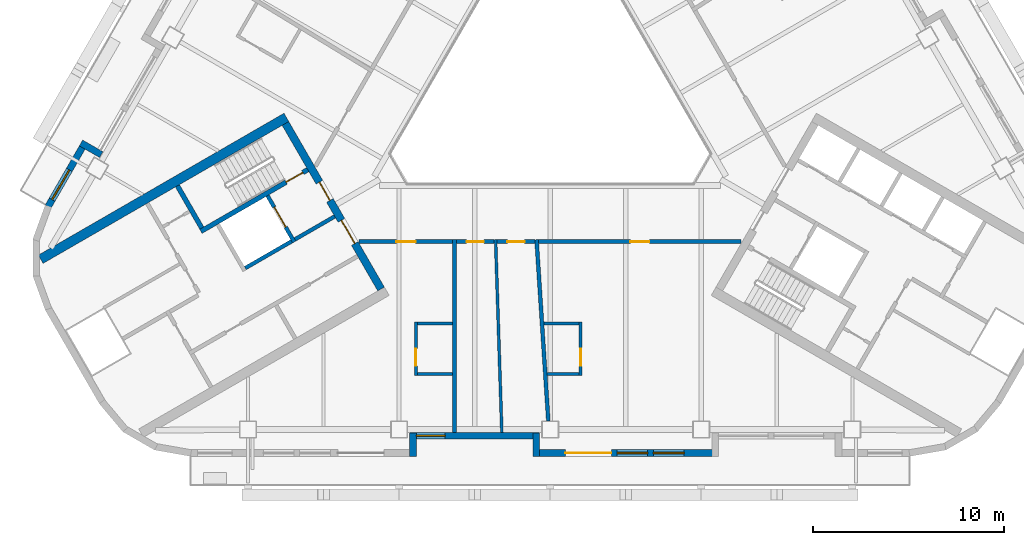
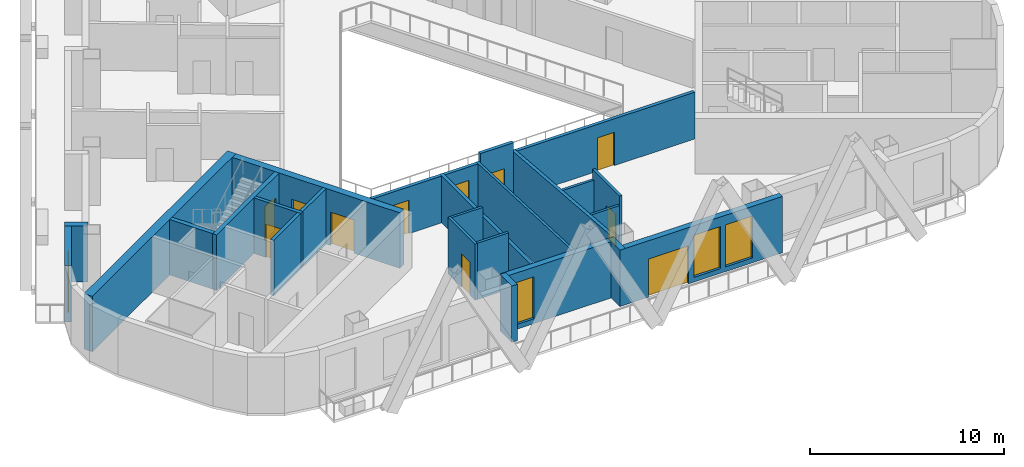
# One storey, part 3 of 13: 26 walls, 11 doors, 4 windows, 15 openings.
"""IFC4 building model written with IfcOpenShell, lengths in metres."""

from ifc_helpers import new_model, si_unit, direction, frame, frame_2d, origin, place, context, subcontext, project, spatial, rectangle, extrude, material, layer, layer_set, type_object, element, fill, save


model = new_model("IFC4")

# Units and contexts
model_context = context("Model", 3, precision=1e-05, world=origin(), true_north=direction((0.0, 1.0)))
body_context = subcontext(model_context, "Body", "Model", "MODEL_VIEW")
ifc_project = project(units=[si_unit("LENGTHUNIT", "METRE"), si_unit("AREAUNIT", "SQUARE_METRE"), si_unit("VOLUMEUNIT", "CUBIC_METRE"), si_unit("PLANEANGLEUNIT", "RADIAN"), si_unit("MASSUNIT", "GRAM", prefix="KILO")], contexts=[model_context])

# Site, building, storey
site_placement = place(None, origin())
site = spatial("IfcSite", under=ifc_project, at=site_placement, CompositionType="ELEMENT")
building_placement = place(site_placement, origin())
building = spatial("IfcBuilding", under=site, at=building_placement, Name="Apuvela Tower Hotel", CompositionType="ELEMENT")
storey_placement = place(building_placement, frame((0.0, 0.0, 105.699951171875)))
storey = spatial("IfcBuildingStorey", under=building, at=storey_placement, Name="L24", CompositionType="ELEMENT", Elevation=105.699951171875)

# Wall, openings, doors
ifc_material_1 = material(Name="Concrete C50/60", Category="concrete")
ifc_layer_1 = layer(ifc_material_1, 0.39990234375)
ifc_layer_set_1 = layer_set([ifc_layer_1], Name="COR-WALL-CORE-400")
wall_type_1 = type_object("IfcWallType", Name="COR-WALL-CORE-400", PredefinedType="SHEAR", material=ifc_layer_set_1)
wall_1_placement = place(storey_placement, frame((-13.844970703125, -2.219970703125, 0.0), z_axis=(0.0, 0.0, 1.0), x_axis=(0.500004234368, -0.866022959057, 0.0)))
wall_1 = element("IfcWall", 1, at=wall_1_placement, inside=storey, type_object=wall_type_1, Name="Core wall SW", PredefinedType="SHEAR", context=body_context, shape_type="SweptSolid", body=[
    extrude(rectangle(XDim=10.0, YDim=0.39990234375, at=frame_2d((5.0, 0.0))), origin(), (0.0, 0.0, 1.0), 3.5),
])
opening_1_placement = place(wall_1_placement, frame((3.550048828125, 0.0, 0.0)))
opening_1 = element("IfcOpeningElement", 2, at=opening_1_placement, cuts=wall_1, Name="Opening W-FD", PredefinedType="OPENING", context=body_context, shape_type="SweptSolid", body=[
    extrude(rectangle(XDim=1.10009765625, YDim=2.10009765625, at=frame_2d((0.550048828125, 1.050048828125))), frame((0.0, 0.2099609375, 0.0), z_axis=(0.0, -1.0, 0.0), x_axis=(1.0, 0.0, 0.0)), (0.0, 0.0, 1.0), 0.419921875),
])
opening_2_placement = place(wall_1_placement, frame((5.85009765625, 0.0, 0.0)))
opening_2 = element("IfcOpeningElement", 3, at=opening_2_placement, cuts=wall_1, Name="Opening W-GD", PredefinedType="OPENING", context=body_context, shape_type="SweptSolid", body=[
    extrude(rectangle(XDim=1.39990234375, YDim=2.10009765625, at=frame_2d((0.699951171875, 1.050048828125))), frame((0.0, 0.2099609375, 0.0), z_axis=(0.0, -1.0, 0.0), x_axis=(1.0, 0.0, 0.0)), (0.0, 0.0, 1.0), 0.419921875),
])
ifc_material_2 = material(Name="Steel fire door, powder coated", Category="steel")
door_type_1 = type_object("IfcDoorType", Name="COR-FD-1100", OperationType="NOTDEFINED", PredefinedType="DOOR", material=ifc_material_2)
door_1_placement = place(opening_1_placement, frame((1.10009765625, 0.0, 0.0), z_axis=(0.0, 0.0, 1.0), x_axis=(-1.0, 0.0, 0.0)))
door_1 = element("IfcDoor", 4, at=door_1_placement, inside=storey, type_object=door_type_1, Name="Firefighting lobby door W-FD", OperationType="SINGLE_SWING_LEFT", OverallHeight=2.10009765625, OverallWidth=1.10009765625, PredefinedType="DOOR", context=body_context, shape_type="SweptSolid", body=[
    extrude(rectangle(XDim=1.10009765625, YDim=2.10009765625, at=frame_2d((0.550048828125, 1.050048828125))), frame((0.0, 0.02490234375, 0.0), z_axis=(0.0, -1.0, 0.0), x_axis=(1.0, 0.0, 0.0)), (0.0, 0.0, 1.0), 0.050048828125),
])
fill(opening_1, door_1)
ifc_material_3 = material(Name="Glazed steel fire door", Category="steel")
door_type_2 = type_object("IfcDoorType", Name="COR-GD-1400", OperationType="DOUBLE_DOOR_SINGLE_SWING", PredefinedType="DOOR", material=ifc_material_3)
door_2_placement = place(opening_2_placement, frame((1.39990234375, 0.0, 0.0), z_axis=(0.0, 0.0, 1.0), x_axis=(-1.0, 0.0, 0.0)))
door_2 = element("IfcDoor", 5, at=door_2_placement, inside=storey, type_object=door_type_2, Name="Lift lobby door W-GD", OperationType="DOUBLE_DOOR_SINGLE_SWING", OverallHeight=2.10009765625, OverallWidth=1.39990234375, PredefinedType="DOOR", context=body_context, shape_type="SweptSolid", body=[
    extrude(rectangle(XDim=1.39990234375, YDim=2.10009765625, at=frame_2d((0.699951171875, 1.050048828125))), frame((0.0, 0.02490234375, 0.0), z_axis=(0.0, -1.0, 0.0), x_axis=(1.0, 0.0, 0.0)), (0.0, 0.0, 1.0), 0.050048828125),
])
fill(opening_2, door_2)

# Wall
ifc_layer_2 = layer(ifc_material_1, 0.5)
ifc_layer_set_2 = layer_set([ifc_layer_2], Name="COR-WALL-CORE-500")
wall_type_2 = type_object("IfcWallType", Name="COR-WALL-CORE-500", PredefinedType="SHEAR", material=ifc_layer_set_2)
wall_2_placement = place(storey_placement, frame((-13.796630859375, -1.9033203125, 0.0), z_axis=(0.0, 0.0, 1.0), x_axis=(-0.866025009528, -0.500000682871, 0.0)))
element("IfcWall", 6, at=wall_2_placement, inside=storey, type_object=wall_type_2, Name="Core wall SW", PredefinedType="SHEAR", context=body_context, shape_type="SweptSolid", body=[
    extrude(rectangle(XDim=14.8369140625, YDim=0.5, at=frame_2d((7.41845703125, 0.0))), origin(), (0.0, 0.0, 1.0), 3.5),
])

# Wall, opening, door
ifc_layer_3 = layer(ifc_material_1, 0.199951171875)
ifc_layer_set_3 = layer_set([ifc_layer_3], Name="COR-WALL-SHAFT-200")
wall_type_3 = type_object("IfcWallType", Name="COR-WALL-SHAFT-200", PredefinedType="SHEAR", material=ifc_layer_set_3)
wall_3_placement = place(storey_placement, frame((-14.783203125, -5.99462890625, 0.0), z_axis=(0.0, 0.0, 1.0), x_axis=(0.49994636267, -0.866056369097, 0.0)))
wall_3 = element("IfcWall", 7, at=wall_3_placement, inside=storey, type_object=wall_type_3, Name="Shaft wall SW", PredefinedType="SHEAR", context=body_context, shape_type="SweptSolid", body=[
    extrude(rectangle(XDim=2.800048828125, YDim=0.199951171875, at=frame_2d((1.39990234375, 0.0))), origin(), (0.0, 0.0, 1.0), 3.5),
])
opening_3_placement = place(wall_3_placement, frame((0.699951171875, 0.0, 0.0)))
opening_3 = element("IfcOpeningElement", 8, at=opening_3_placement, cuts=wall_3, Name="Opening W-LD-FS2", PredefinedType="OPENING", context=body_context, shape_type="SweptSolid", body=[
    extrude(rectangle(XDim=1.199951171875, YDim=2.10009765625, at=frame_2d((0.60009765625, 1.050048828125))), frame((0.0, 0.10986328125, 0.0), z_axis=(0.0, -1.0, 0.0), x_axis=(1.0, 0.0, 0.0)), (0.0, 0.0, 1.0), 0.219970703125),
])
ifc_material_4 = material(Name="Stainless steel lift landing door", Category="steel")
door_type_3 = type_object("IfcDoorType", Name="COR-LD-1200", OperationType="DOUBLE_DOOR_SLIDING", PredefinedType="DOOR", material=ifc_material_4)
door_3_placement = place(opening_3_placement, origin())
door_3 = element("IfcDoor", 9, at=door_3_placement, inside=storey, type_object=door_type_3, Name="Lift landing door W-LD-FS2", OperationType="DOUBLE_DOOR_SLIDING", OverallHeight=2.10009765625, OverallWidth=1.199951171875, PredefinedType="DOOR", context=body_context, shape_type="SweptSolid", body=[
    extrude(rectangle(XDim=1.199951171875, YDim=2.10009765625, at=frame_2d((0.60009765625, 1.050048828125))), frame((0.0, 0.02490234375, 0.0), z_axis=(0.0, -1.0, 0.0), x_axis=(1.0, 0.0, 0.0)), (0.0, 0.0, 1.0), 0.050048828125),
])
fill(opening_3, door_3)

# Walls
wall_4_placement = place(storey_placement, frame((-13.519775390625, -8.383056640625, 0.0), z_axis=(0.0, 0.0, 1.0), x_axis=(-0.866034573852, -0.49998411664, 0.0)))
element("IfcWall", 10, at=wall_4_placement, inside=storey, type_object=wall_type_3, Name="Shaft wall SW", PredefinedType="SHEAR", context=body_context, shape_type="SweptSolid", body=[
    extrude(rectangle(XDim=2.7998046875, YDim=0.199951171875, at=frame_2d((1.39990234375, 0.0))), origin(), (0.0, 0.0, 1.0), 3.5),
])
wall_5_placement = place(storey_placement, frame((-11.26806640625, -7.0830078125, 0.0), z_axis=(0.0, 0.0, 1.0), x_axis=(-0.866050077142, -0.499957262057, 0.0)))
element("IfcWall", 11, at=wall_5_placement, inside=storey, type_object=wall_type_3, Name="Shaft wall SW", PredefinedType="SHEAR", context=body_context, shape_type="SweptSolid", body=[
    extrude(rectangle(XDim=2.400146484375, YDim=0.199951171875, at=frame_2d((1.2001953125, 0.0))), origin(), (0.0, 0.0, 1.0), 3.5),
])

# Wall, opening, door
ifc_layer_4 = layer(ifc_material_1, 0.25)
ifc_layer_set_4 = layer_set([ifc_layer_4], Name="COR-WALL-STAIR-250")
wall_type_4 = type_object("IfcWallType", Name="COR-WALL-STAIR-250", PredefinedType="SHEAR", material=ifc_layer_set_4)
wall_6_placement = place(storey_placement, frame((-12.6806640625, -4.636474609375, 0.0), z_axis=(0.0, 0.0, 1.0), x_axis=(-0.866021702275, -0.500006411147, 0.0)))
wall_6 = element("IfcWall", 12, at=wall_6_placement, inside=storey, type_object=wall_type_4, Name="Stair wall SW", PredefinedType="SHEAR", context=body_context, shape_type="SweptSolid", body=[
    extrude(rectangle(XDim=6.4501953125, YDim=0.25, at=frame_2d((3.22509765625, 0.0))), origin(), (0.0, 0.0, 1.0), 3.5),
])
opening_4_placement = place(wall_6_placement, frame((0.300048828125, 0.0, 0.0)))
opening_4 = element("IfcOpeningElement", 13, at=opening_4_placement, cuts=wall_6, Name="Opening W-SD", PredefinedType="OPENING", context=body_context, shape_type="SweptSolid", body=[
    extrude(rectangle(XDim=1.0, YDim=2.10009765625, at=frame_2d((0.5, 1.050048828125))), frame((0.0, 0.135009765625, 0.0), z_axis=(0.0, -1.0, 0.0), x_axis=(1.0, 0.0, 0.0)), (0.0, 0.0, 1.0), 0.27001953125),
])
door_type_4 = type_object("IfcDoorType", Name="COR-SD-1000", OperationType="NOTDEFINED", PredefinedType="DOOR", material=ifc_material_2)
door_4_placement = place(opening_4_placement, frame((1.0, 0.0, 0.0), z_axis=(0.0, 0.0, 1.0), x_axis=(-1.0, 0.0, 0.0)))
door_4 = element("IfcDoor", 14, at=door_4_placement, inside=storey, type_object=door_type_4, Name="Stair door W-SD", OperationType="SINGLE_SWING_LEFT", OverallHeight=2.10009765625, OverallWidth=1.0, PredefinedType="DOOR", context=body_context, shape_type="SweptSolid", body=[
    extrude(rectangle(XDim=1.0, YDim=2.10009765625, at=frame_2d((0.5, 1.050048828125))), frame((0.0, 0.02490234375, 0.0), z_axis=(0.0, -1.0, 0.0), x_axis=(1.0, 0.0, 0.0)), (0.0, 0.0, 1.0), 0.050048828125),
])
fill(opening_4, door_4)

# Walls
wall_7_placement = place(storey_placement, frame((-19.49560546875, -5.482421875, 0.0), z_axis=(0.0, 0.0, 1.0), x_axis=(0.499990435942, -0.866030925526, 0.0)))
element("IfcWall", 15, at=wall_7_placement, inside=storey, type_object=wall_type_4, Name="Stair wall SW", PredefinedType="SHEAR", context=body_context, shape_type="SweptSolid", body=[
    extrude(rectangle(XDim=2.5498046875, YDim=0.25, at=frame_2d((1.27490234375, 0.0))), origin(), (0.0, 0.0, 1.0), 3.5),
])
ifc_material_5 = material(Name="Concrete C40/50, dark pigmented precast panel", Category="concrete")
ifc_layer_5 = layer(ifc_material_5, 0.35009765625)
ifc_layer_set_5 = layer_set([ifc_layer_5], Name="ENV-WALL-350")
wall_type_5 = type_object("IfcWallType", Name="ENV-WALL-350", PredefinedType="SOLIDWALL", material=ifc_layer_set_5)
wall_8_placement = place(storey_placement, frame((-23.48095703125, -3.85009765625, 0.0), z_axis=(0.0, 0.0, 1.0), x_axis=(-0.866092288191, 0.499884134912, 0.0)))
element("IfcWall", 16, at=wall_8_placement, inside=storey, type_object=wall_type_5, Name="External wall L24-08", PredefinedType="SOLIDWALL", context=body_context, shape_type="SweptSolid", body=[
    extrude(rectangle(XDim=1.219970703125, YDim=0.35009765625, at=frame_2d((0.60986328125, 0.0))), origin(), (0.0, 0.0, 1.0), 3.550048828125),
])

# Wall, opening, window
wall_9_placement = place(storey_placement, frame((-24.298583984375, -3.17626953125, 0.0), z_axis=(0.0, 0.0, 1.0), x_axis=(-0.500028278809, -0.866009076391, 0.0)))
wall_9 = element("IfcWall", 17, at=wall_9_placement, inside=storey, type_object=wall_type_5, Name="External wall L24-09", PredefinedType="SOLIDWALL", context=body_context, shape_type="SweptSolid", body=[
    extrude(rectangle(XDim=3.915771484375, YDim=0.35009765625, at=frame_2d((1.9580078125, 0.0))), origin(), (0.0, 0.0, 1.0), 3.550048828125),
])
opening_5_placement = place(wall_9_placement, frame((1.699951171875, 0.0, 0.300048828125)))
opening_5 = element("IfcOpeningElement", 18, at=opening_5_placement, cuts=wall_9, Name="Opening WN18", PredefinedType="OPENING", context=body_context, shape_type="SweptSolid", body=[
    extrude(rectangle(XDim=1.800048828125, YDim=2.64990234375, at=frame_2d((0.89990234375, 1.324951171875))), frame((0.0, 0.18505859375, 0.0), z_axis=(0.0, -1.0, 0.0), x_axis=(1.0, 0.0, 0.0)), (0.0, 0.0, 1.0), 0.3701171875),
])
ifc_material_6 = material(Name="Glass, dark tinted laminated insulated glazing unit", Category="glass")
window_type_1 = type_object("IfcWindowType", Name="ENV-WIN-1800x2650", PartitioningType="SINGLE_PANEL", PredefinedType="WINDOW", material=ifc_material_6)
window_1_placement = place(opening_5_placement, origin())
window_1 = element("IfcWindow", 19, at=window_1_placement, inside=storey, type_object=window_type_1, Name="Window WN18", OverallHeight=2.64990234375, OverallWidth=1.800048828125, PartitioningType="SINGLE_PANEL", PredefinedType="WINDOW", context=body_context, shape_type="SweptSolid", body=[
    extrude(rectangle(XDim=1.800048828125, YDim=2.64990234375, at=frame_2d((0.89990234375, 1.324951171875))), frame((0.0, 0.030029296875, 0.0), z_axis=(0.0, -1.0, 0.0), x_axis=(1.0, 0.0, 0.0)), (0.0, 0.0, 1.0), 0.06005859375),
])
fill(opening_5, window_1)

# Wall
wall_10_placement = place(storey_placement, frame((-7.175048828125, -19.6298828125, 0.0), z_axis=(0.0, 0.0, 1.0), x_axis=(0.0, 1.0, 0.0)))
element("IfcWall", 20, at=wall_10_placement, inside=storey, type_object=wall_type_5, Name="External wall L24-18", PredefinedType="SOLIDWALL", context=body_context, shape_type="SweptSolid", body=[
    extrude(rectangle(XDim=1.219970703125, YDim=0.35009765625, at=frame_2d((0.60986328125, 0.0))), origin(), (0.0, 0.0, 1.0), 3.550048828125),
])

# Wall, opening, window
wall_11_placement = place(storey_placement, frame((-7.320068359375, -18.554931640625, 0.0), z_axis=(0.0, 0.0, 1.0), x_axis=(1.0, 0.0, 0.0)))
wall_11 = element("IfcWall", 21, at=wall_11_placement, inside=storey, type_object=wall_type_5, Name="External wall L24-19", PredefinedType="SOLIDWALL", context=body_context, shape_type="SweptSolid", body=[
    extrude(rectangle(XDim=6.739990234375, YDim=0.35009765625, at=frame_2d((3.3701171875, 0.0))), origin(), (0.0, 0.0, 1.0), 3.550048828125),
])
opening_6_placement = place(wall_11_placement, frame((0.3203125, 0.0, 0.300048828125)))
opening_6 = element("IfcOpeningElement", 22, at=opening_6_placement, cuts=wall_11, Name="Opening WN15", PredefinedType="OPENING", context=body_context, shape_type="SweptSolid", body=[
    extrude(rectangle(XDim=1.5, YDim=2.64990234375, at=frame_2d((0.75, 1.324951171875))), frame((0.0, 0.18505859375, 0.0), z_axis=(0.0, -1.0, 0.0), x_axis=(1.0, 0.0, 0.0)), (0.0, 0.0, 1.0), 0.3701171875),
])
window_type_2 = type_object("IfcWindowType", Name="ENV-WIN-1500x2650", PartitioningType="SINGLE_PANEL", PredefinedType="WINDOW", material=ifc_material_6)
window_2_placement = place(opening_6_placement, origin())
window_2 = element("IfcWindow", 23, at=window_2_placement, inside=storey, type_object=window_type_2, Name="Window WN15", OverallHeight=2.64990234375, OverallWidth=1.5, PartitioningType="SINGLE_PANEL", PredefinedType="WINDOW", context=body_context, shape_type="SweptSolid", body=[
    extrude(rectangle(XDim=1.5, YDim=2.64990234375, at=frame_2d((0.75, 1.324951171875))), frame((0.0, 0.030029296875, 0.0), z_axis=(0.0, -1.0, 0.0), x_axis=(1.0, 0.0, 0.0)), (0.0, 0.0, 1.0), 0.06005859375),
])
fill(opening_6, window_2)

# Wall
wall_12_placement = place(storey_placement, frame((-0.72509765625, -18.409912109375, 0.0), z_axis=(0.0, 0.0, 1.0), x_axis=(0.0, -1.0, 0.0)))
element("IfcWall", 24, at=wall_12_placement, inside=storey, type_object=wall_type_5, Name="External wall L24-20", PredefinedType="SOLIDWALL", context=body_context, shape_type="SweptSolid", body=[
    extrude(rectangle(XDim=1.219970703125, YDim=0.35009765625, at=frame_2d((0.60986328125, 0.0))), origin(), (0.0, 0.0, 1.0), 3.550048828125),
])

# Wall, openings, door, windows
wall_13_placement = place(storey_placement, frame((-0.89990234375, -19.455078125, 0.0), z_axis=(0.0, 0.0, 1.0), x_axis=(1.0, 0.0, 0.0)))
wall_13 = element("IfcWall", 25, at=wall_13_placement, inside=storey, type_object=wall_type_5, Name="External wall L24-21", PredefinedType="SOLIDWALL", context=body_context, shape_type="SweptSolid", body=[
    extrude(rectangle(XDim=9.699951171875, YDim=0.35009765625, at=frame_2d((4.85009765625, 0.0))), origin(), (0.0, 0.0, 1.0), 3.550048828125),
])
opening_7_placement = place(wall_13_placement, frame((1.7001953125, 0.0, 0.0)))
opening_7 = element("IfcOpeningElement", 26, at=opening_7_placement, cuts=wall_13, Name="Opening BD24", PredefinedType="OPENING", context=body_context, shape_type="SweptSolid", body=[
    extrude(rectangle(XDim=2.39990234375, YDim=2.39990234375, at=frame_2d((1.199951171875, 1.199951171875))), frame((0.0, 0.18505859375, 0.0), z_axis=(0.0, -1.0, 0.0), x_axis=(1.0, 0.0, 0.0)), (0.0, 0.0, 1.0), 0.3701171875),
])
opening_8_placement = place(wall_13_placement, frame((4.400146484375, 0.0, 0.300048828125)))
opening_8 = element("IfcOpeningElement", 27, at=opening_8_placement, cuts=wall_13, Name="Opening WN16", PredefinedType="OPENING", context=body_context, shape_type="SweptSolid", body=[
    extrude(rectangle(XDim=1.60009765625, YDim=2.64990234375, at=frame_2d((0.800048828125, 1.324951171875))), frame((0.0, 0.18505859375, 0.0), z_axis=(0.0, -1.0, 0.0), x_axis=(1.0, 0.0, 0.0)), (0.0, 0.0, 1.0), 0.3701171875),
])
opening_9_placement = place(wall_13_placement, frame((6.30029296875, 0.0, 0.300048828125)))
opening_9 = element("IfcOpeningElement", 28, at=opening_9_placement, cuts=wall_13, Name="Opening WN16", PredefinedType="OPENING", context=body_context, shape_type="SweptSolid", body=[
    extrude(rectangle(XDim=1.60009765625, YDim=2.64990234375, at=frame_2d((0.800048828125, 1.324951171875))), frame((0.0, 0.18505859375, 0.0), z_axis=(0.0, -1.0, 0.0), x_axis=(1.0, 0.0, 0.0)), (0.0, 0.0, 1.0), 0.3701171875),
])
ifc_material_7 = material(Name="Aluminium 6063-T6, dark bronze anodised frame with dark tinted laminated glass", Category="aluminium")
door_type_5 = type_object("IfcDoorType", Name="ENV-DOOR-BALCONY-2400x2400", OperationType="SLIDING_TO_LEFT", PredefinedType="DOOR", material=ifc_material_7)
door_5_placement = place(opening_7_placement, frame((2.39990234375, 0.0, 0.0), z_axis=(0.0, 0.0, 1.0), x_axis=(-1.0, 0.0, 0.0)))
door_5 = element("IfcDoor", 29, at=door_5_placement, inside=storey, type_object=door_type_5, Name="Balcony door BD24", OperationType="SLIDING_TO_LEFT", OverallHeight=2.39990234375, OverallWidth=2.39990234375, PredefinedType="DOOR", context=body_context, shape_type="SweptSolid", body=[
    extrude(rectangle(XDim=2.39990234375, YDim=2.39990234375, at=frame_2d((1.199951171875, 1.199951171875))), frame((0.0, 0.02490234375, 0.0), z_axis=(0.0, -1.0, 0.0), x_axis=(1.0, 0.0, 0.0)), (0.0, 0.0, 1.0), 0.050048828125),
])
fill(opening_7, door_5)
window_type_3 = type_object("IfcWindowType", Name="ENV-WIN-1600x2650", PartitioningType="SINGLE_PANEL", PredefinedType="WINDOW", material=ifc_material_6)
window_3_placement = place(opening_8_placement, origin())
window_3 = element("IfcWindow", 30, at=window_3_placement, inside=storey, type_object=window_type_3, Name="Window WN16", OverallHeight=2.64990234375, OverallWidth=1.60009765625, PartitioningType="SINGLE_PANEL", PredefinedType="WINDOW", context=body_context, shape_type="SweptSolid", body=[
    extrude(rectangle(XDim=1.60009765625, YDim=2.64990234375, at=frame_2d((0.800048828125, 1.324951171875))), frame((0.0, 0.030029296875, 0.0), z_axis=(0.0, -1.0, 0.0), x_axis=(1.0, 0.0, 0.0)), (0.0, 0.0, 1.0), 0.06005859375),
])
fill(opening_8, window_3)
window_4_placement = place(opening_9_placement, origin())
window_4 = element("IfcWindow", 31, at=window_4_placement, inside=storey, type_object=window_type_3, Name="Window WN16", OverallHeight=2.64990234375, OverallWidth=1.60009765625, PartitioningType="SINGLE_PANEL", PredefinedType="WINDOW", context=body_context, shape_type="SweptSolid", body=[
    extrude(rectangle(XDim=1.60009765625, YDim=2.64990234375, at=frame_2d((0.800048828125, 1.324951171875))), frame((0.0, 0.030029296875, 0.0), z_axis=(0.0, -1.0, 0.0), x_axis=(1.0, 0.0, 0.0)), (0.0, 0.0, 1.0), 0.06005859375),
])
fill(opening_9, window_4)

# Walls
ifc_material_8 = material(Name="Gypsum board partition on twin steel stud", Category="steel")
ifc_layer_6 = layer(ifc_material_8, 0.199951171875)
ifc_layer_set_6 = layer_set([ifc_layer_6], Name="GST-PW1")
wall_type_6 = type_object("IfcWallType", Name="GST-PW1", PredefinedType="PARTITIONING", material=ifc_layer_set_6)
wall_14_placement = place(storey_placement, frame((-5.0, -18.3798828125, 0.0), z_axis=(0.0, 0.0, 1.0), x_axis=(0.0, 1.0, 0.0)))
element("IfcWall", 32, at=wall_14_placement, inside=storey, type_object=wall_type_6, Name="L24 partition 01", PredefinedType="PARTITIONING", context=body_context, shape_type="SweptSolid", body=[
    extrude(rectangle(XDim=10.079833984375, YDim=0.199951171875, at=frame_2d((5.0400390625, 0.0))), origin(), (0.0, 0.0, 1.0), 2.9599609375),
])
wall_15_placement = place(storey_placement, frame((-0.097412109375, -17.780029296875, 0.0), z_axis=(0.0, 0.0, 1.0), x_axis=(-0.064787627283, 0.997899074732, 0.0)))
element("IfcWall", 33, at=wall_15_placement, inside=storey, type_object=wall_type_6, Name="L24 partition 02", PredefinedType="PARTITIONING", context=body_context, shape_type="SweptSolid", body=[
    extrude(rectangle(XDim=9.5, YDim=0.199951171875, at=frame_2d((4.75, 0.0))), origin(), (0.0, 0.0, 1.0), 2.949951171875),
])

# Wall, opening, door
ifc_material_9 = material(Name="Gypsum board corridor wall on twin steel stud, acoustic", Category="steel")
ifc_layer_7 = layer(ifc_material_9, 0.199951171875)
ifc_layer_set_7 = layer_set([ifc_layer_7], Name="GST-PW2")
wall_type_7 = type_object("IfcWallType", Name="GST-PW2", PredefinedType="PARTITIONING", material=ifc_layer_set_7)
wall_16_placement = place(storey_placement, frame((-5.10009765625, -8.39990234375, 0.0), z_axis=(0.0, 0.0, 1.0), x_axis=(-1.0, 0.0, 0.0)))
wall_16 = element("IfcWall", 34, at=wall_16_placement, inside=storey, type_object=wall_type_7, Name="L24 partition 07", PredefinedType="PARTITIONING", context=body_context, shape_type="SweptSolid", body=[
    extrude(rectangle(XDim=4.88818359375, YDim=0.199951171875, at=frame_2d((2.444091796875, 0.0))), origin(), (0.0, 0.0, 1.0), 2.949951171875),
])
opening_10_placement = place(wall_16_placement, frame((1.944091796875, 0.0, 0.0)))
opening_10 = element("IfcOpeningElement", 35, at=opening_10_placement, cuts=wall_16, Name="Opening GD08-02", PredefinedType="OPENING", context=body_context, shape_type="SweptSolid", body=[
    extrude(rectangle(XDim=1.0, YDim=2.10009765625, at=frame_2d((0.5, 1.050048828125))), frame((0.0, 0.10986328125, 0.0), z_axis=(0.0, -1.0, 0.0), x_axis=(1.0, 0.0, 0.0)), (0.0, 0.0, 1.0), 0.219970703125),
])
ifc_material_10 = material(Name="Timber door leaf in steel frame", Category="steel")
door_type_6 = type_object("IfcDoorType", Name="GST-D1", OperationType="NOTDEFINED", PredefinedType="DOOR", material=ifc_material_10)
door_6_placement = place(opening_10_placement, origin())
door_6 = element("IfcDoor", 36, at=door_6_placement, inside=storey, type_object=door_type_6, Name="Door L24-02", OperationType="SINGLE_SWING_LEFT", OverallHeight=2.10009765625, OverallWidth=1.0, PredefinedType="DOOR", context=body_context, shape_type="SweptSolid", body=[
    extrude(rectangle(XDim=1.0, YDim=2.10009765625, at=frame_2d((0.5, 1.050048828125))), frame((0.0, 0.02490234375, 0.0), z_axis=(0.0, -1.0, 0.0), x_axis=(1.0, 0.0, 0.0)), (0.0, 0.0, 1.0), 0.050048828125),
])
fill(opening_10, door_6)

wall_17_placement = place(storey_placement, frame((-2.92822265625, -8.39990234375, 0.0), z_axis=(0.0, 0.0, 1.0), x_axis=(-1.0, 0.0, 0.0)))
wall_17 = element("IfcWall", 37, at=wall_17_placement, inside=storey, type_object=wall_type_7, Name="L24 partition 12", PredefinedType="PARTITIONING", context=body_context, shape_type="SweptSolid", body=[
    extrude(rectangle(XDim=1.9716796875, YDim=0.199951171875, at=frame_2d((0.98583984375, 0.0))), origin(), (0.0, 0.0, 1.0), 2.949951171875),
])
opening_11_placement = place(wall_17_placement, frame((0.535888671875, 0.0, 0.0)))
opening_11 = element("IfcOpeningElement", 38, at=opening_11_placement, cuts=wall_17, Name="Opening GD08-03", PredefinedType="OPENING", context=body_context, shape_type="SweptSolid", body=[
    extrude(rectangle(XDim=0.89990234375, YDim=2.10009765625, at=frame_2d((0.449951171875, 1.050048828125))), frame((0.0, 0.10986328125, 0.0), z_axis=(0.0, -1.0, 0.0), x_axis=(1.0, 0.0, 0.0)), (0.0, 0.0, 1.0), 0.219970703125),
])
door_type_7 = type_object("IfcDoorType", Name="GST-D2", OperationType="NOTDEFINED", PredefinedType="DOOR", material=ifc_material_10)
door_7_placement = place(opening_11_placement, origin())
door_7 = element("IfcDoor", 39, at=door_7_placement, inside=storey, type_object=door_type_7, Name="Door L24-03", OperationType="SINGLE_SWING_LEFT", OverallHeight=2.10009765625, OverallWidth=0.89990234375, PredefinedType="DOOR", context=body_context, shape_type="SweptSolid", body=[
    extrude(rectangle(XDim=0.89990234375, YDim=2.10009765625, at=frame_2d((0.449951171875, 1.050048828125))), frame((0.0, 0.02490234375, 0.0), z_axis=(0.0, -1.0, 0.0), x_axis=(1.0, 0.0, 0.0)), (0.0, 0.0, 1.0), 0.050048828125),
])
fill(opening_11, door_7)

wall_18_placement = place(storey_placement, frame((-0.806640625, -8.39990234375, 0.0), z_axis=(0.0, 0.0, 1.0), x_axis=(-1.0, 0.0, 0.0)))
wall_18 = element("IfcWall", 40, at=wall_18_placement, inside=storey, type_object=wall_type_7, Name="L24 partition 13", PredefinedType="PARTITIONING", context=body_context, shape_type="SweptSolid", body=[
    extrude(rectangle(XDim=1.9716796875, YDim=0.199951171875, at=frame_2d((0.98583984375, 0.0))), origin(), (0.0, 0.0, 1.0), 3.550048828125),
])
opening_12_placement = place(wall_18_placement, frame((0.535888671875, 0.0, 0.0)))
opening_12 = element("IfcOpeningElement", 41, at=opening_12_placement, cuts=wall_18, Name="Opening GD08-04", PredefinedType="OPENING", context=body_context, shape_type="SweptSolid", body=[
    extrude(rectangle(XDim=0.89990234375, YDim=2.10009765625, at=frame_2d((0.449951171875, 1.050048828125))), frame((0.0, 0.10986328125, 0.0), z_axis=(0.0, -1.0, 0.0), x_axis=(1.0, 0.0, 0.0)), (0.0, 0.0, 1.0), 0.219970703125),
])
door_8_placement = place(opening_12_placement, origin())
door_8 = element("IfcDoor", 42, at=door_8_placement, inside=storey, type_object=door_type_7, Name="Door L24-04", OperationType="SINGLE_SWING_RIGHT", OverallHeight=2.10009765625, OverallWidth=0.89990234375, PredefinedType="DOOR", context=body_context, shape_type="SweptSolid", body=[
    extrude(rectangle(XDim=0.89990234375, YDim=2.10009765625, at=frame_2d((0.449951171875, 1.050048828125))), frame((0.0, 0.02490234375, 0.0), z_axis=(0.0, -1.0, 0.0), x_axis=(1.0, 0.0, 0.0)), (0.0, 0.0, 1.0), 0.050048828125),
])
fill(opening_12, door_8)

wall_19_placement = place(storey_placement, frame((9.98828125, -8.39990234375, 0.0), z_axis=(0.0, 0.0, 1.0), x_axis=(-1.0, 0.0, 0.0)))
wall_19 = element("IfcWall", 43, at=wall_19_placement, inside=storey, type_object=wall_type_7, Name="L24 partition 14", PredefinedType="PARTITIONING", context=body_context, shape_type="SweptSolid", body=[
    extrude(rectangle(XDim=10.594482421875, YDim=0.199951171875, at=frame_2d((5.29736328125, 0.0))), origin(), (0.0, 0.0, 1.0), 2.949951171875),
])
opening_13_placement = place(wall_19_placement, frame((4.79736328125, 0.0, 0.0)))
opening_13 = element("IfcOpeningElement", 44, at=opening_13_placement, cuts=wall_19, Name="Opening GD08-06", PredefinedType="OPENING", context=body_context, shape_type="SweptSolid", body=[
    extrude(rectangle(XDim=1.0, YDim=2.10009765625, at=frame_2d((0.5, 1.050048828125))), frame((0.0, 0.10986328125, 0.0), z_axis=(0.0, -1.0, 0.0), x_axis=(1.0, 0.0, 0.0)), (0.0, 0.0, 1.0), 0.219970703125),
])
door_9_placement = place(opening_13_placement, origin())
door_9 = element("IfcDoor", 45, at=door_9_placement, inside=storey, type_object=door_type_6, Name="Door L24-06", OperationType="SINGLE_SWING_RIGHT", OverallHeight=2.10009765625, OverallWidth=1.0, PredefinedType="DOOR", context=body_context, shape_type="SweptSolid", body=[
    extrude(rectangle(XDim=1.0, YDim=2.10009765625, at=frame_2d((0.5, 1.050048828125))), frame((0.0, 0.02490234375, 0.0), z_axis=(0.0, -1.0, 0.0), x_axis=(1.0, 0.0, 0.0)), (0.0, 0.0, 1.0), 0.050048828125),
])
fill(opening_13, door_9)

ifc_material_11 = material(Name="Moisture-resistant gypsum board wet wall on steel stud", Category="steel")
ifc_layer_8 = layer(ifc_material_11, 0.14990234375)
ifc_layer_set_8 = layer_set([ifc_layer_8], Name="GST-PW3")
wall_type_8 = type_object("IfcWallType", Name="GST-PW3", PredefinedType="PARTITIONING", material=ifc_layer_set_8)
wall_20_placement = place(storey_placement, frame((-7.02490234375, -12.60009765625, 0.0), z_axis=(0.0, 0.0, 1.0), x_axis=(0.0, -1.0, 0.0)))
wall_20 = element("IfcWall", 46, at=wall_20_placement, inside=storey, type_object=wall_type_8, Name="L24 partition 08", PredefinedType="PARTITIONING", context=body_context, shape_type="SweptSolid", body=[
    extrude(rectangle(XDim=2.7998046875, YDim=0.14990234375, at=frame_2d((1.39990234375, 0.0))), origin(), (0.0, 0.0, 1.0), 3.550048828125),
])
opening_14_placement = place(wall_20_placement, frame((1.39990234375, 0.0, 0.0)))
opening_14 = element("IfcOpeningElement", 47, at=opening_14_placement, cuts=wall_20, Name="Opening GD08-01", PredefinedType="OPENING", context=body_context, shape_type="SweptSolid", body=[
    extrude(rectangle(XDim=0.89990234375, YDim=2.10009765625, at=frame_2d((0.449951171875, 1.050048828125))), frame((0.0, 0.0849609375, 0.0), z_axis=(0.0, -1.0, 0.0), x_axis=(1.0, 0.0, 0.0)), (0.0, 0.0, 1.0), 0.169921875),
])
door_10_placement = place(opening_14_placement, origin())
door_10 = element("IfcDoor", 48, at=door_10_placement, inside=storey, type_object=door_type_7, Name="Door L24-01", OperationType="SINGLE_SWING_RIGHT", OverallHeight=2.10009765625, OverallWidth=0.89990234375, PredefinedType="DOOR", context=body_context, shape_type="SweptSolid", body=[
    extrude(rectangle(XDim=0.89990234375, YDim=2.10009765625, at=frame_2d((0.449951171875, 1.050048828125))), frame((0.0, 0.02490234375, 0.0), z_axis=(0.0, -1.0, 0.0), x_axis=(1.0, 0.0, 0.0)), (0.0, 0.0, 1.0), 0.050048828125),
])
fill(opening_14, door_10)

# Walls
for number, where, z_axis, x_axis, name in (
    (49, (-6.949951171875, -15.324951171875, 0.0), (0.0, 0.0, 1.0), (1.0, 0.0, 0.0), "L24 partition 09"),
    (50, (-6.949951171875, -12.675048828125, 0.0), (0.0, 0.0, 1.0), (1.0, 0.0, 0.0), "L24 partition 10"),
):
    element("IfcWall", number, at=place(storey_placement, frame(where, z_axis=z_axis, x_axis=x_axis)), inside=storey, type_object=wall_type_8, Name=name, PredefinedType="PARTITIONING", context=body_context, shape_type="SweptSolid", body=[
        extrude(rectangle(XDim=1.849853515625, YDim=0.14990234375, at=frame_2d((0.9248046875, 0.0))), origin(), (0.0, 0.0, 1.0), 3.550048828125),
    ])
wall_21_placement = place(storey_placement, frame((-2.529296875, -18.3798828125, 0.0), z_axis=(0.0, 0.0, 1.0), x_axis=(-0.032438656137, 0.999473728313, 0.0)))
element("IfcWall", 51, at=wall_21_placement, inside=storey, type_object=wall_type_8, Name="L24 partition 11", PredefinedType="PARTITIONING", context=body_context, shape_type="SweptSolid", body=[
    extrude(rectangle(XDim=10.085205078125, YDim=0.14990234375, at=frame_2d((5.04248046875, 0.0))), origin(), (0.0, 0.0, 1.0), 2.9599609375),
])

# Wall, opening, door
wall_22_placement = place(storey_placement, frame((1.59130859375, -15.39990234375, 0.0), z_axis=(0.0, 0.0, 1.0), x_axis=(0.0, 1.0, 0.0)))
wall_22 = element("IfcWall", 52, at=wall_22_placement, inside=storey, type_object=wall_type_8, Name="L24 partition 15", PredefinedType="PARTITIONING", context=body_context, shape_type="SweptSolid", body=[
    extrude(rectangle(XDim=2.7998046875, YDim=0.14990234375, at=frame_2d((1.39990234375, 0.0))), origin(), (0.0, 0.0, 1.0), 3.550048828125),
])
opening_15_placement = place(wall_22_placement, frame((0.5, 0.0, 0.0)))
opening_15 = element("IfcOpeningElement", 53, at=opening_15_placement, cuts=wall_22, Name="Opening GD08-05", PredefinedType="OPENING", context=body_context, shape_type="SweptSolid", body=[
    extrude(rectangle(XDim=0.89990234375, YDim=2.10009765625, at=frame_2d((0.449951171875, 1.050048828125))), frame((0.0, 0.0849609375, 0.0), z_axis=(0.0, -1.0, 0.0), x_axis=(1.0, 0.0, 0.0)), (0.0, 0.0, 1.0), 0.169921875),
])
door_11_placement = place(opening_15_placement, origin())
door_11 = element("IfcDoor", 54, at=door_11_placement, inside=storey, type_object=door_type_7, Name="Door L24-05", OperationType="SINGLE_SWING_LEFT", OverallHeight=2.10009765625, OverallWidth=0.89990234375, PredefinedType="DOOR", context=body_context, shape_type="SweptSolid", body=[
    extrude(rectangle(XDim=0.89990234375, YDim=2.10009765625, at=frame_2d((0.449951171875, 1.050048828125))), frame((0.0, 0.02490234375, 0.0), z_axis=(0.0, -1.0, 0.0), x_axis=(1.0, 0.0, 0.0)), (0.0, 0.0, 1.0), 0.050048828125),
])
fill(opening_15, door_11)

# Walls
wall_23_placement = place(storey_placement, frame((-0.156494140625, -15.324951171875, 0.0), z_axis=(0.0, 0.0, 1.0), x_axis=(1.0, 0.0, 0.0)))
element("IfcWall", 55, at=wall_23_placement, inside=storey, type_object=wall_type_8, Name="L24 partition 16", PredefinedType="PARTITIONING", context=body_context, shape_type="SweptSolid", body=[
    extrude(rectangle(XDim=1.6728515625, YDim=0.14990234375, at=frame_2d((0.83642578125, 0.0))), origin(), (0.0, 0.0, 1.0), 2.949951171875),
])
wall_24_placement = place(storey_placement, frame((-0.32861328125, -12.675048828125, 0.0), z_axis=(0.0, 0.0, 1.0), x_axis=(1.0, 0.0, 0.0)))
element("IfcWall", 56, at=wall_24_placement, inside=storey, type_object=wall_type_8, Name="L24 partition 17", PredefinedType="PARTITIONING", context=body_context, shape_type="SweptSolid", body=[
    extrude(rectangle(XDim=1.844970703125, YDim=0.14990234375, at=frame_2d((0.92236328125, 0.0))), origin(), (0.0, 0.0, 1.0), 2.949951171875),
])

save(model, "model.ifc")
